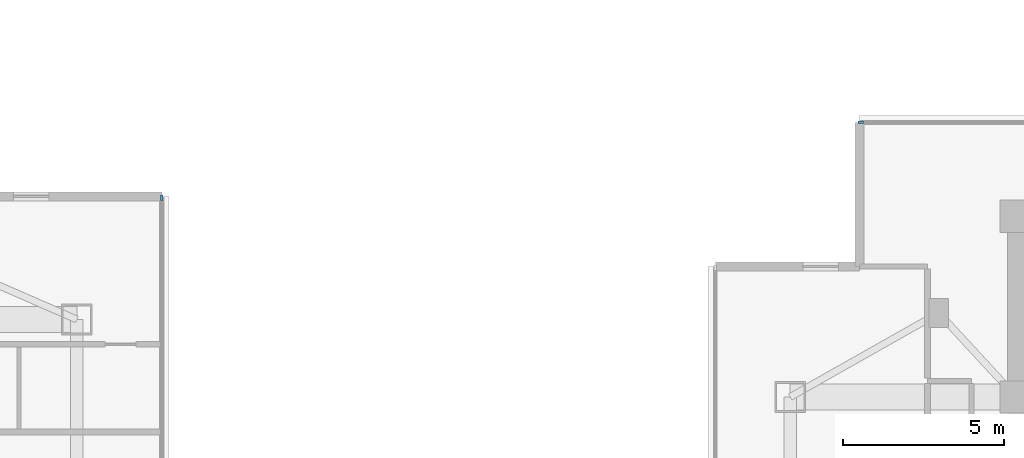
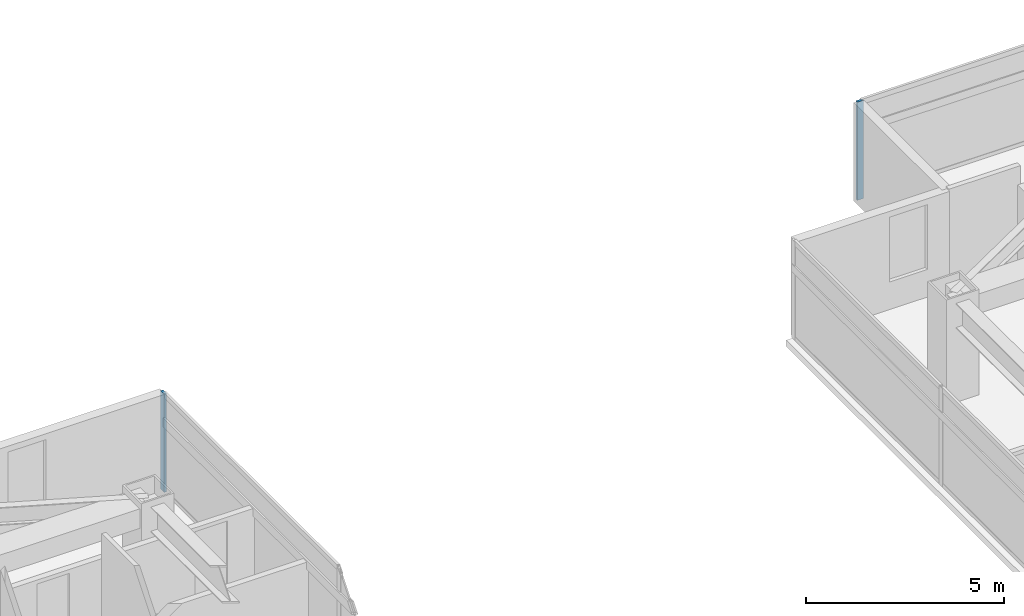
# One storey, part 8 of 26: 2 members, 2 elements without a shape of their own.
"""IFC4 building model written with IfcOpenShell, lengths in metres."""

from ifc_helpers import new_model, si_unit, direction, frame, origin, origin_2d, place, context, subcontext, project, spatial, rectangle, extrude, material, material_profile, profile_set, type_object, element, aggregate, save


model = new_model("IFC4")

# Units and contexts
model_context = context("Model", 3, precision=1e-05, world=origin(), true_north=direction((0.0, 1.0)))
body_context = subcontext(model_context, "Body", "Model", "MODEL_VIEW")
ifc_project = project(units=[si_unit("LENGTHUNIT", "METRE"), si_unit("AREAUNIT", "SQUARE_METRE"), si_unit("VOLUMEUNIT", "CUBIC_METRE"), si_unit("PLANEANGLEUNIT", "RADIAN"), si_unit("MASSUNIT", "GRAM", prefix="KILO")], contexts=[model_context])

# Site, building, storey
site_placement = place(None, origin())
site = spatial("IfcSite", under=ifc_project, at=site_placement, CompositionType="ELEMENT")
building_placement = place(site_placement, origin())
building = spatial("IfcBuilding", under=site, at=building_placement, Name="Mirazonda Arch Towers", CompositionType="ELEMENT")
storey_placement = place(building_placement, frame((0.0, 0.0, 170.64990234375)))
storey = spatial("IfcBuildingStorey", under=building, at=storey_placement, Name="L48", CompositionType="ELEMENT", Elevation=170.64990234375)

# Curtain wall, member
ifc_material_1 = material(Name="Anodised Aluminium and Low-E Glass", Category="aluminium")
curtain_wall_type = type_object("IfcCurtainWallType", Name="CW-RES-UNIT", PredefinedType="NOTDEFINED", material=ifc_material_1)
curtain_wall_1_placement = place(storey_placement, origin())
curtain_wall_1 = element("IfcCurtainWall", 1, at=curtain_wall_1_placement, inside=storey, type_object=curtain_wall_type, Name="L48 T1 E Facade CW-L48-T1-E", PredefinedType="NOTDEFINED")
ifc_material_2 = material(Name="Anodised Aluminium Alloy", Category="aluminium")
ifc_material_profile = material_profile(ifc_material_2, rectangle(XDim=0.074951171875, YDim=0.175048828125, at=origin_2d()), Name="ALU-MULL-75x175")
ifc_profile_set = profile_set([ifc_material_profile], Name="Anodised Aluminium Alloy")
member_type = type_object("IfcMemberType", Name="MULL-CW-RES-UNIT", PredefinedType="MULLION", material=ifc_profile_set)
member_1_placement = place(storey_placement, frame((41.530029296875, 41.37744140625, 0.0), z_axis=(0.0, 0.0, 1.0), x_axis=(-1.0, 0.0, 0.0)))
member_1 = element("IfcMember", 2, at=member_1_placement, type_object=member_type, Name="CW-104 mullion 4", PredefinedType="MULLION", context=body_context, shape_type="SweptSolid", body=[
    extrude(rectangle(XDim=0.074951171875, YDim=0.175048828125, at=origin_2d()), origin(), (0.0, 0.0, 1.0), 3.030029296875),
])
aggregate(curtain_wall_1, [member_1])

curtain_wall_2_placement = place(storey_placement, origin())
curtain_wall_2 = element("IfcCurtainWall", 3, at=curtain_wall_2_placement, inside=storey, type_object=curtain_wall_type, Name="L48 T2 N Facade CW-L48-T2-N", PredefinedType="NOTDEFINED")
member_2_placement = place(storey_placement, frame((63.18017578125, 43.7080078125, 0.0), z_axis=(0.0, 0.0, 1.0), x_axis=(0.0, 1.0, 0.0)))
member_2 = element("IfcMember", 4, at=member_2_placement, type_object=member_type, Name="CW-104 mullion 1", PredefinedType="MULLION", context=body_context, shape_type="SweptSolid", body=[
    extrude(rectangle(XDim=0.074951171875, YDim=0.175048828125, at=origin_2d()), origin(), (0.0, 0.0, 1.0), 3.030029296875),
])
aggregate(curtain_wall_2, [member_2])

save(model, "model.ifc")
